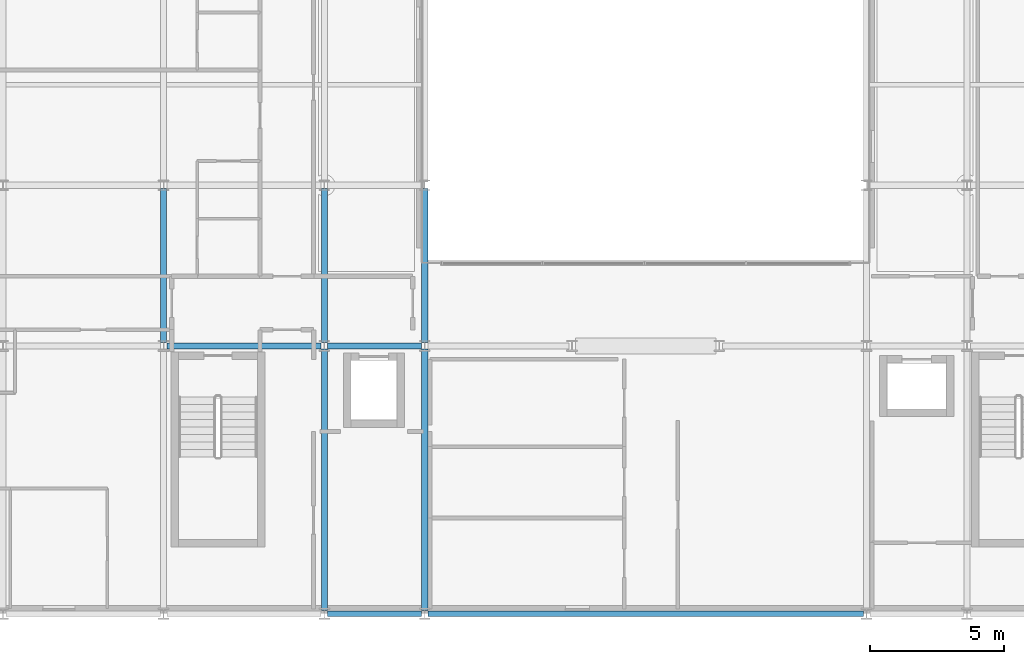
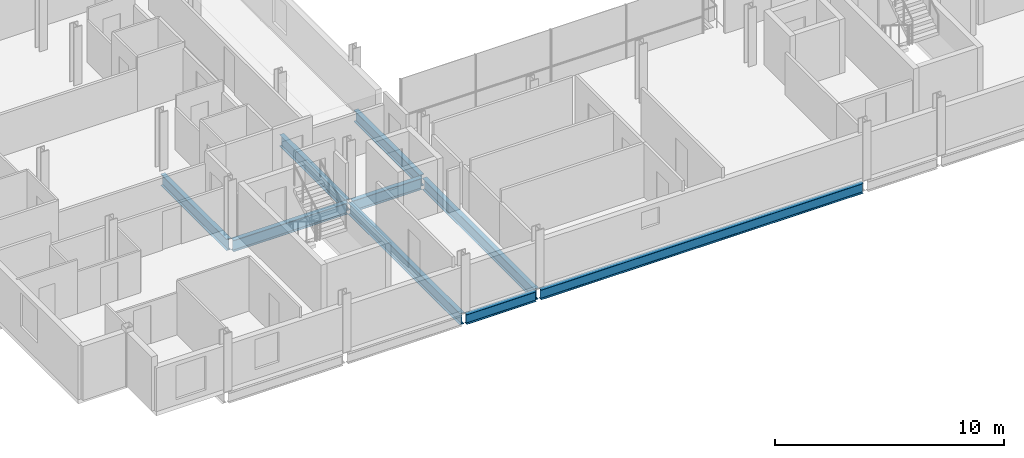
# One storey, part 5 of 38: 9 beams.
"""IFC4 building model written with IfcOpenShell, lengths in metres."""

from ifc_helpers import new_model, si_unit, direction, frame, origin, origin_2d, place, context, subcontext, project, spatial, i_section, extrude, material, material_profile, profile_set, type_object, element, save


model = new_model("IFC4")

# Units and contexts
model_context = context("Model", 3, precision=1e-05, world=origin(), true_north=direction((0.0, 1.0)))
body_context = subcontext(model_context, "Body", "Model", "MODEL_VIEW")
ifc_project = project(units=[si_unit("LENGTHUNIT", "METRE"), si_unit("AREAUNIT", "SQUARE_METRE"), si_unit("VOLUMEUNIT", "CUBIC_METRE"), si_unit("PLANEANGLEUNIT", "RADIAN"), si_unit("MASSUNIT", "GRAM", prefix="KILO")], contexts=[model_context])

# Site, building, storey
site_placement = place(None, origin())
site = spatial("IfcSite", under=ifc_project, at=site_placement, CompositionType="ELEMENT")
building_placement = place(site_placement, origin())
building = spatial("IfcBuilding", under=site, at=building_placement, Name="Brevholm Reach", CompositionType="ELEMENT")
storey_placement = place(building_placement, frame((0.0, 0.0, 141.800048828125)))
storey = spatial("IfcBuildingStorey", under=building, at=storey_placement, Name="L42", CompositionType="ELEMENT", Elevation=141.800048828125)

# Beams
ifc_material_1 = material(Name="Structural Steel S355J2", Category="steel")
ifc_material_profile_1 = material_profile(ifc_material_1, i_section(OverallWidth=0.209228515625, OverallDepth=0.533203125, WebThickness=0.010009765625, FlangeThickness=0.015625, FilletRadius=0.0126953125, at=origin_2d()), Name="UKB 533x210x92")
ifc_profile_set_1 = profile_set([ifc_material_profile_1], Name="Structural Steel S355J2")
beam_type_1 = type_object("IfcBeamType", Name="BM-SP533", PredefinedType="SPANDREL", material=ifc_profile_set_1)
beam_1_placement = place(storey_placement, frame((18.1201171875, 0.0, -0.486572265625), z_axis=(1.0, 0.0, 0.0), x_axis=(0.0, 1.0, 0.0)))
element("IfcBeam", 1, at=beam_1_placement, inside=storey, type_object=beam_type_1, Name="L42 SP-02 Framing Beam", PredefinedType="SPANDREL", context=body_context, shape_type="SweptSolid", body=[
    extrude(i_section(OverallWidth=0.209228515625, OverallDepth=0.533203125, WebThickness=0.010009765625, FlangeThickness=0.015625, FilletRadius=0.0126953125, at=origin_2d()), origin(), (0.0, 0.0, 1.0), 3.509765625),
])
beam_2_placement = place(storey_placement, frame((21.8701171875, 0.0, -0.486572265625), z_axis=(1.0, 0.0, 0.0), x_axis=(0.0, 1.0, 0.0)))
element("IfcBeam", 2, at=beam_2_placement, inside=storey, type_object=beam_type_1, Name="L42 SP-02 Framing Beam", PredefinedType="SPANDREL", context=body_context, shape_type="SweptSolid", body=[
    extrude(i_section(OverallWidth=0.209228515625, OverallDepth=0.533203125, WebThickness=0.010009765625, FlangeThickness=0.015625, FilletRadius=0.0126953125, at=origin_2d()), origin(), (0.0, 0.0, 1.0), 16.259765625),
])
ifc_material_2 = material(Name="Structural Steel S355J2", Category="steel")
ifc_material_profile_2 = material_profile(ifc_material_2, i_section(OverallWidth=0.22900390625, OverallDepth=0.6123046875, WebThickness=0.011962890625, FlangeThickness=0.01953125, FilletRadius=0.0126953125, at=origin_2d()), Name="UKB 610x229x125")
ifc_profile_set_2 = profile_set([ifc_material_profile_2], Name="Structural Steel S355J2")
beam_type_2 = type_object("IfcBeamType", Name="BM-SP610", PredefinedType="SPANDREL", material=ifc_profile_set_2)
beam_3_placement = place(storey_placement, frame((12.1201171875, 10.0, -0.526123046875), z_axis=(1.0, 0.0, 0.0), x_axis=(0.0, 1.0, 0.0)))
element("IfcBeam", 3, at=beam_3_placement, inside=storey, type_object=beam_type_2, Name="L42 SP-01 Framing Beam", PredefinedType="SPANDREL", context=body_context, shape_type="SweptSolid", body=[
    extrude(i_section(OverallWidth=0.22900390625, OverallDepth=0.6123046875, WebThickness=0.011962890625, FlangeThickness=0.01953125, FilletRadius=0.0126953125, at=origin_2d()), origin(), (0.0, 0.0, 1.0), 5.759765625),
])
beam_4_placement = place(storey_placement, frame((18.1201171875, 10.0, -0.526123046875), z_axis=(1.0, 0.0, 0.0), x_axis=(0.0, 1.0, 0.0)))
element("IfcBeam", 4, at=beam_4_placement, inside=storey, type_object=beam_type_2, Name="L42 SP-01 Framing Beam", PredefinedType="SPANDREL", context=body_context, shape_type="SweptSolid", body=[
    extrude(i_section(OverallWidth=0.22900390625, OverallDepth=0.6123046875, WebThickness=0.011962890625, FlangeThickness=0.01953125, FilletRadius=0.0126953125, at=origin_2d()), origin(), (0.0, 0.0, 1.0), 3.509765625),
])
beam_5_placement = place(storey_placement, frame((12.0, 10.1201171875, -0.526123046875), z_axis=(0.0, 1.0, 0.0), x_axis=(-1.0, 0.0, 0.0)))
element("IfcBeam", 5, at=beam_5_placement, inside=storey, type_object=beam_type_2, Name="L42 SP-01 Framing Beam", PredefinedType="SPANDREL", context=body_context, shape_type="SweptSolid", body=[
    extrude(i_section(OverallWidth=0.22900390625, OverallDepth=0.6123046875, WebThickness=0.011962890625, FlangeThickness=0.01953125, FilletRadius=0.0126953125, at=origin_2d()), origin(), (0.0, 0.0, 1.0), 5.759765625),
])
beam_6_placement = place(storey_placement, frame((18.0, 0.1201171875, -0.526123046875), z_axis=(0.0, 1.0, 0.0), x_axis=(-1.0, 0.0, 0.0)))
element("IfcBeam", 6, at=beam_6_placement, inside=storey, type_object=beam_type_2, Name="L42 SP-01 Framing Beam", PredefinedType="SPANDREL", context=body_context, shape_type="SweptSolid", body=[
    extrude(i_section(OverallWidth=0.22900390625, OverallDepth=0.6123046875, WebThickness=0.011962890625, FlangeThickness=0.01953125, FilletRadius=0.0126953125, at=origin_2d()), origin(), (0.0, 0.0, 1.0), 9.759765625),
])
beam_7_placement = place(storey_placement, frame((18.0, 10.1201171875, -0.526123046875), z_axis=(0.0, 1.0, 0.0), x_axis=(-1.0, 0.0, 0.0)))
element("IfcBeam", 7, at=beam_7_placement, inside=storey, type_object=beam_type_2, Name="L42 SP-01 Framing Beam", PredefinedType="SPANDREL", context=body_context, shape_type="SweptSolid", body=[
    extrude(i_section(OverallWidth=0.22900390625, OverallDepth=0.6123046875, WebThickness=0.011962890625, FlangeThickness=0.01953125, FilletRadius=0.0126953125, at=origin_2d()), origin(), (0.0, 0.0, 1.0), 5.759765625),
])
beam_8_placement = place(storey_placement, frame((21.75, 0.1201171875, -0.526123046875), z_axis=(0.0, 1.0, 0.0), x_axis=(-1.0, 0.0, 0.0)))
element("IfcBeam", 8, at=beam_8_placement, inside=storey, type_object=beam_type_2, Name="L42 SP-01 Framing Beam", PredefinedType="SPANDREL", context=body_context, shape_type="SweptSolid", body=[
    extrude(i_section(OverallWidth=0.22900390625, OverallDepth=0.6123046875, WebThickness=0.011962890625, FlangeThickness=0.01953125, FilletRadius=0.0126953125, at=origin_2d()), origin(), (0.0, 0.0, 1.0), 9.759765625),
])
beam_9_placement = place(storey_placement, frame((21.75, 10.1201171875, -0.526123046875), z_axis=(0.0, 1.0, 0.0), x_axis=(-1.0, 0.0, 0.0)))
element("IfcBeam", 9, at=beam_9_placement, inside=storey, type_object=beam_type_2, Name="L42 SP-01 Framing Beam", PredefinedType="SPANDREL", context=body_context, shape_type="SweptSolid", body=[
    extrude(i_section(OverallWidth=0.22900390625, OverallDepth=0.6123046875, WebThickness=0.011962890625, FlangeThickness=0.01953125, FilletRadius=0.0126953125, at=origin_2d()), origin(), (0.0, 0.0, 1.0), 5.759765625),
])

save(model, "model.ifc")
